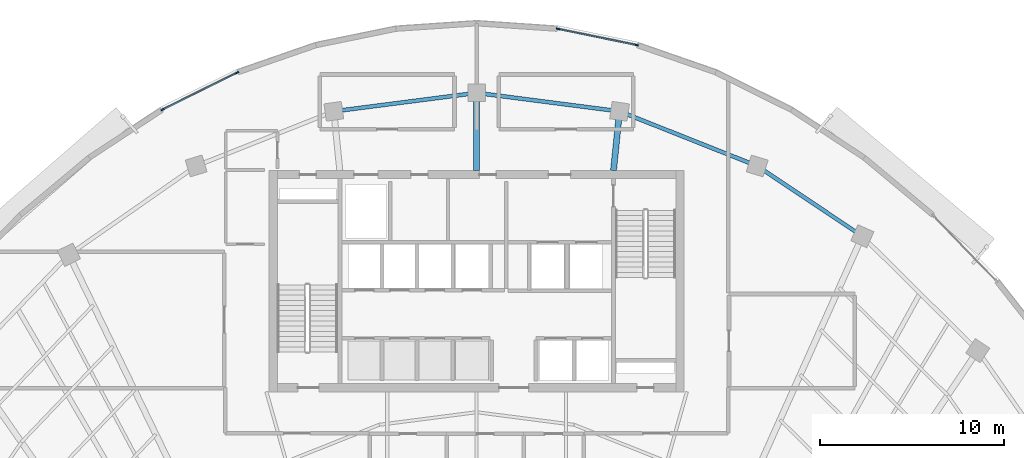
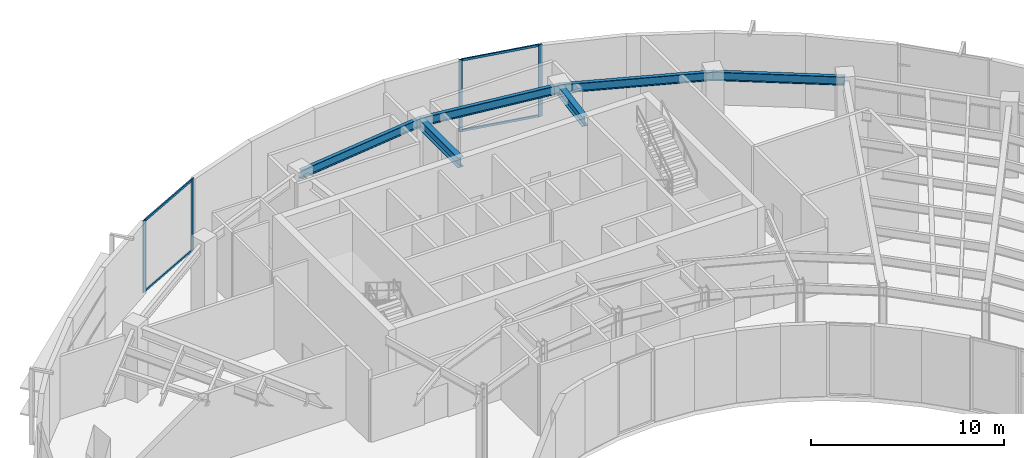
# One storey, part 5 of 15: 8 members, 6 beams, 2 elements without a shape of their own.
"""IFC4 building model written with IfcOpenShell, lengths in metres."""

from ifc_helpers import new_model, si_unit, direction, frame, origin, origin_2d, place, context, subcontext, project, spatial, rectangle, i_section, extrude, source, transform, mapped, material, layer, layer_set, material_profile, profile_set, type_object, element, aggregate, save


model = new_model("IFC4")

# Units and contexts
model_context = context("Model", 3, precision=1e-05, world=origin(), true_north=direction((0.0, 1.0)))
body_context = subcontext(model_context, "Body", "Model", "MODEL_VIEW")
ifc_project = project(units=[si_unit("LENGTHUNIT", "METRE"), si_unit("AREAUNIT", "SQUARE_METRE"), si_unit("VOLUMEUNIT", "CUBIC_METRE"), si_unit("PLANEANGLEUNIT", "RADIAN"), si_unit("MASSUNIT", "GRAM", prefix="KILO")], contexts=[model_context])

# Site, building, storey
site_placement = place(None, origin())
site = spatial("IfcSite", under=ifc_project, at=site_placement, CompositionType="ELEMENT")
building_placement = place(site_placement, origin())
building = spatial("IfcBuilding", under=site, at=building_placement, Name="Breltana Convention Tower", CompositionType="ELEMENT")
storey_placement = place(building_placement, frame((0.0, 0.0, 199.199951171875)))
storey = spatial("IfcBuildingStorey", under=building, at=storey_placement, Name="L48", CompositionType="ELEMENT", Elevation=199.199951171875)

# Beams
ifc_material_1 = material(Name="Steel ASTM A992 Grade 50", Category="steel")
ifc_material_profile_1 = material_profile(ifc_material_1, i_section(OverallWidth=0.326904296875, OverallDepth=0.6220703125, WebThickness=0.015380859375, FlangeThickness=0.0244140625, at=origin_2d()), Name="W24X131")
ifc_profile_set_1 = profile_set([ifc_material_profile_1], Name="Steel ASTM A992 Grade 50")
beam_type_1 = type_object("IfcBeamType", Name="BM-RG-W24X131", PredefinedType="USERDEFINED", material=ifc_profile_set_1)
shared_shape_1 = source(origin(), body_context, "Body", "SweptSolid", [
    extrude(i_section(OverallWidth=0.326904296875, OverallDepth=0.6220703125, WebThickness=0.015380859375, FlangeThickness=0.0244140625, at=origin_2d()), origin(), (0.0, 0.0, 1.0), 3.220947265625),
])
beam_1_placement = place(storey_placement, frame((55.419921875, 72.199951171875, 4.22900390625), z_axis=(0.101492254858, 0.994836329355, 0.0), x_axis=(-0.994836329355, 0.101492254858, 0.0)))
element("IfcBeam", 1, at=beam_1_placement, inside=storey, type_object=beam_type_1, Name="L48 North Core Radial Girder R07", ObjectType="GIRDER", PredefinedType="USERDEFINED", context=body_context, shape_type="MappedRepresentation", body=[
    mapped(shared_shape_1, transform((0.0, 0.0, 0.0), scale=1.0)),
])
shared_shape_2 = source(origin(), body_context, "Body", "SweptSolid", [
    extrude(i_section(OverallWidth=0.326904296875, OverallDepth=0.6220703125, WebThickness=0.015380859375, FlangeThickness=0.0244140625, at=origin_2d()), origin(), (0.0, 0.0, 1.0), 4.2041015625),
])
beam_2_placement = place(storey_placement, frame((48.0, 72.199951171875, 4.22900390625), z_axis=(0.0, 1.0, 0.0), x_axis=(-1.0, 0.0, 0.0)))
element("IfcBeam", 2, at=beam_2_placement, inside=storey, type_object=beam_type_1, Name="L48 North Core Radial Girder R06", ObjectType="GIRDER", PredefinedType="USERDEFINED", context=body_context, shape_type="MappedRepresentation", body=[
    mapped(shared_shape_2, transform((0.0, 0.0, 0.0), scale=1.0)),
])
ifc_material_profile_2 = material_profile(ifc_material_1, i_section(OverallWidth=0.214111328125, OverallDepth=0.549072265625, WebThickness=0.0146484375, FlangeThickness=0.023681640625, at=origin_2d()), Name="W21X93")
ifc_profile_set_2 = profile_set([ifc_material_profile_2], Name="Steel ASTM A992 Grade 50")
beam_type_2 = type_object("IfcBeamType", Name="BM-SP-W21X93", PredefinedType="SPANDREL", material=ifc_profile_set_2)
shared_shape_3 = source(origin(), body_context, "Body", "SweptSolid", [
    extrude(i_section(OverallWidth=0.214111328125, OverallDepth=0.549072265625, WebThickness=0.0146484375, FlangeThickness=0.023681640625, at=origin_2d()), origin(), (0.0, 0.0, 1.0), 8.028564453125),
])
beam_3_placement = place(storey_placement, frame((55.746826171875, 75.404296875, 4.265625), z_axis=(0.929459100394, -0.368925169507, 0.0), x_axis=(0.368925169507, 0.929459100394, 0.0)))
element("IfcBeam", 3, at=beam_3_placement, inside=storey, type_object=beam_type_2, Name="L48 Outer Spandrel Beam 07", PredefinedType="SPANDREL", context=body_context, shape_type="MappedRepresentation", body=[
    mapped(shared_shape_3, transform((0.0, 0.0, 0.0), scale=1.0)),
])
shared_shape_4 = source(origin(), body_context, "Body", "SweptSolid", [
    extrude(i_section(OverallWidth=0.214111328125, OverallDepth=0.549072265625, WebThickness=0.0146484375, FlangeThickness=0.023681640625, at=origin_2d()), origin(), (0.0, 0.0, 1.0), 7.81103515625),
])
for number, where, z_axis, x_axis, name in (
    (4, (40.253173828125, 75.404296875, 4.265625), (0.991775179127, 0.127992164083, 0.0), (-0.127992164083, 0.991775179127, 0.0), "L48 Outer Spandrel Beam 05"),
    (5, (48.0, 76.404052734375, 4.265625), (0.991775179127, -0.127992164083, 0.0), (0.127992164083, 0.991775179127, 0.0), "L48 Outer Spandrel Beam 06"),
):
    element("IfcBeam", number, at=place(storey_placement, frame(where, z_axis=z_axis, x_axis=x_axis)), inside=storey, type_object=beam_type_2, Name=name, PredefinedType="SPANDREL", context=body_context, shape_type="MappedRepresentation", body=[
        mapped(shared_shape_4, transform((0.0, 0.0, 0.0), scale=1.0)),
    ])
shared_shape_5 = source(origin(), body_context, "Body", "SweptSolid", [
    extrude(i_section(OverallWidth=0.214111328125, OverallDepth=0.549072265625, WebThickness=0.0146484375, FlangeThickness=0.023681640625, at=origin_2d()), origin(), (0.0, 0.0, 1.0), 6.856689453125),
])
beam_4_placement = place(storey_placement, frame((63.208984375, 72.4423828125, 4.265625), z_axis=(0.83150210718, -0.55552159792, 0.0), x_axis=(0.55552159792, 0.83150210718, 0.0)))
element("IfcBeam", 6, at=beam_4_placement, inside=storey, type_object=beam_type_2, Name="L48 Outer Spandrel Beam 08", PredefinedType="SPANDREL", context=body_context, shape_type="MappedRepresentation", body=[
    mapped(shared_shape_5, transform((0.0, 0.0, 0.0), scale=1.0)),
])

# Curtain wall, members
ifc_material_2 = material(Name="Aluminium Anodised Bronze Frame", Category="aluminium")
ifc_layer = layer(ifc_material_2, 0.239990234375, Name="Aluminium Anodised Bronze Frame")
ifc_layer_set = layer_set([ifc_layer], Name="Aluminium Anodised Bronze Frame")
curtain_wall_type = type_object("IfcCurtainWallType", Name="CW-SYS-6", PredefinedType="NOTDEFINED", material=ifc_layer_set)
curtain_wall_1_placement = place(storey_placement, origin())
curtain_wall_1 = element("IfcCurtainWall", 7, at=curtain_wall_1_placement, inside=storey, type_object=curtain_wall_type, Name="L48 outer double-skin inner glazing 2", PredefinedType="NOTDEFINED")
ifc_material_3 = material(Name="Aluminium Anodised Bronze", Category="aluminium")
ifc_material_profile_3 = material_profile(ifc_material_3, rectangle(XDim=0.080078125, YDim=0.199951171875, at=origin_2d()), Name="CWM-80X200")
ifc_profile_set_3 = profile_set([ifc_material_profile_3], Name="Aluminium Anodised Bronze")
member_type_1 = type_object("IfcMemberType", Name="CWM-200", PredefinedType="MULLION", material=ifc_profile_set_3)
shared_shape_6 = source(origin(), body_context, "Body", "SweptSolid", [
    extrude(rectangle(XDim=0.080078125, YDim=0.199951171875, at=origin_2d()), origin(), (0.0, 0.0, 1.0), 4.5400390625),
])
member_1_placement = place(storey_placement, frame((30.96923828125, 75.499267578125, 0.0), z_axis=(0.0, 0.0, 1.0), x_axis=(-0.444108875003, 0.895972827235, 0.0)))
member_1 = element("IfcMember", 8, at=member_1_placement, type_object=member_type_1, Name="CW-06 mullion 1", PredefinedType="MULLION", context=body_context, shape_type="MappedRepresentation", body=[
    mapped(shared_shape_6, transform((0.0, 0.0, 0.0), scale=1.0)),
])
member_2_placement = place(storey_placement, frame((35.0107421875, 77.50244140625, 0.0), z_axis=(0.0, 0.0, 1.0), x_axis=(-0.444108875003, 0.895972827235, 0.0)))
member_2 = element("IfcMember", 9, at=member_2_placement, type_object=member_type_1, Name="CW-06 mullion 2", PredefinedType="MULLION", context=body_context, shape_type="MappedRepresentation", body=[
    mapped(shared_shape_6, transform((0.0, 0.0, 0.0), scale=1.0)),
])

curtain_wall_2_placement = place(storey_placement, origin())
curtain_wall_2 = element("IfcCurtainWall", 10, at=curtain_wall_2_placement, inside=storey, type_object=curtain_wall_type, Name="L48 outer double-skin inner glazing 3", PredefinedType="NOTDEFINED")
member_3_placement = place(storey_placement, frame((52.415771484375, 79.87158203125, 0.0), z_axis=(0.0, 0.0, 1.0), x_axis=(0.200879604523, 0.979615937236, 0.0)))
member_3 = element("IfcMember", 11, at=member_3_placement, type_object=member_type_1, Name="CW-06 mullion 1", PredefinedType="MULLION", context=body_context, shape_type="MappedRepresentation", body=[
    mapped(shared_shape_6, transform((0.0, 0.0, 0.0), scale=1.0)),
])
member_4_placement = place(storey_placement, frame((56.669921875, 78.9990234375, 0.0), z_axis=(0.0, 0.0, 1.0), x_axis=(0.200879604523, 0.979615937236, 0.0)))
member_4 = element("IfcMember", 12, at=member_4_placement, type_object=member_type_1, Name="CW-06 mullion 2", PredefinedType="MULLION", context=body_context, shape_type="MappedRepresentation", body=[
    mapped(shared_shape_6, transform((0.0, 0.0, 0.0), scale=1.0)),
])

# Member
ifc_material_profile_4 = material_profile(ifc_material_3, rectangle(XDim=0.080078125, YDim=0.139892578125, at=origin_2d()), Name="CWT-80X140")
ifc_profile_set_4 = profile_set([ifc_material_profile_4], Name="Aluminium Anodised Bronze")
member_type_2 = type_object("IfcMemberType", Name="CWT-140", PredefinedType="USERDEFINED", material=ifc_profile_set_4)
shared_shape_7 = source(origin(), body_context, "Body", "SweptSolid", [
    extrude(rectangle(XDim=0.080078125, YDim=0.139892578125, at=origin_2d()), origin(), (0.0, 0.0, 1.0), 4.4306640625),
])
member_5_placement = place(storey_placement, frame((31.005126953125, 75.51708984375, 0.0400390625), z_axis=(0.895964734866, 0.444125200678, 0.0), x_axis=(-0.444125200678, 0.895964734866, 0.0)))
member_5 = element("IfcMember", 13, at=member_5_placement, type_object=member_type_2, Name="CW-06 transom 1.1", ObjectType="TRANSOM", PredefinedType="USERDEFINED", context=body_context, shape_type="MappedRepresentation", body=[
    mapped(shared_shape_7, transform((0.0, 0.0, 0.0), scale=1.0)),
])

member_6_placement = place(storey_placement, frame((31.005126953125, 75.51708984375, 4.5), z_axis=(0.895964734866, 0.444125200678, 0.0), x_axis=(-0.444125200678, 0.895964734866, 0.0)))
member_6 = element("IfcMember", 14, at=member_6_placement, type_object=member_type_2, Name="CW-06 transom 1.2", ObjectType="TRANSOM", PredefinedType="USERDEFINED", context=body_context, shape_type="MappedRepresentation", body=[
    mapped(shared_shape_7, transform((0.0, 0.0, 0.0), scale=1.0)),
])

aggregate(curtain_wall_1, [member_1, member_2, member_5, member_6])

shared_shape_8 = source(origin(), body_context, "Body", "SweptSolid", [
    extrude(rectangle(XDim=0.080078125, YDim=0.139892578125, at=origin_2d()), origin(), (0.0, 0.0, 1.0), 4.262451171875),
])
member_7_placement = place(storey_placement, frame((52.455078125, 79.863525390625, 0.0400390625), z_axis=(0.97960616963, -0.200927231659, 0.0), x_axis=(0.200927231659, 0.97960616963, 0.0)))
member_7 = element("IfcMember", 15, at=member_7_placement, type_object=member_type_2, Name="CW-06 transom 1.1", ObjectType="TRANSOM", PredefinedType="USERDEFINED", context=body_context, shape_type="MappedRepresentation", body=[
    mapped(shared_shape_8, transform((0.0, 0.0, 0.0), scale=1.0)),
])

member_8_placement = place(storey_placement, frame((52.455078125, 79.863525390625, 4.5), z_axis=(0.97960616963, -0.200927231659, 0.0), x_axis=(0.200927231659, 0.97960616963, 0.0)))
member_8 = element("IfcMember", 16, at=member_8_placement, type_object=member_type_2, Name="CW-06 transom 1.2", ObjectType="TRANSOM", PredefinedType="USERDEFINED", context=body_context, shape_type="MappedRepresentation", body=[
    mapped(shared_shape_8, transform((0.0, 0.0, 0.0), scale=1.0)),
])

aggregate(curtain_wall_2, [member_3, member_4, member_7, member_8])

save(model, "model.ifc")
